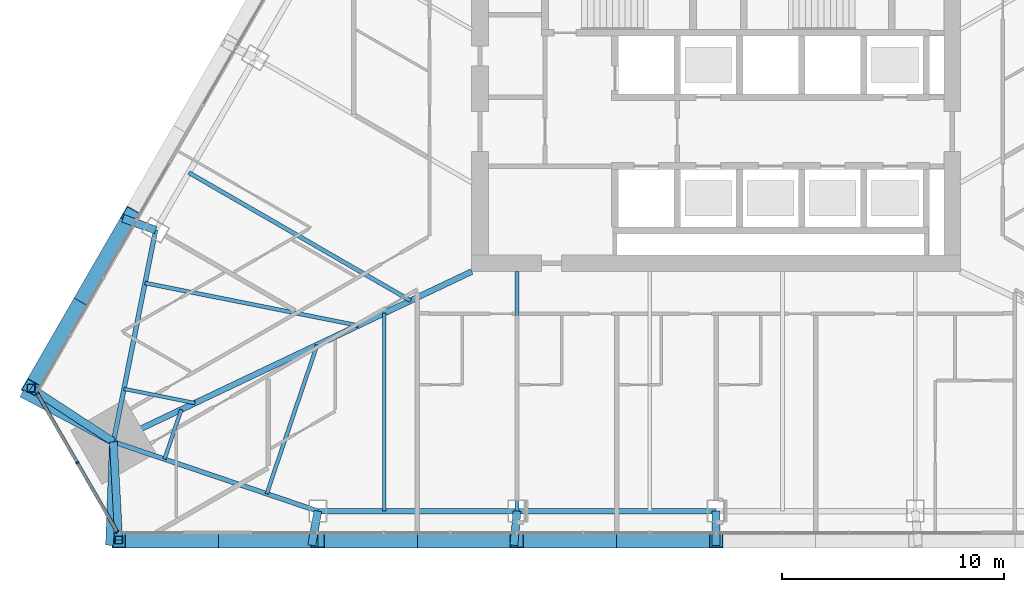
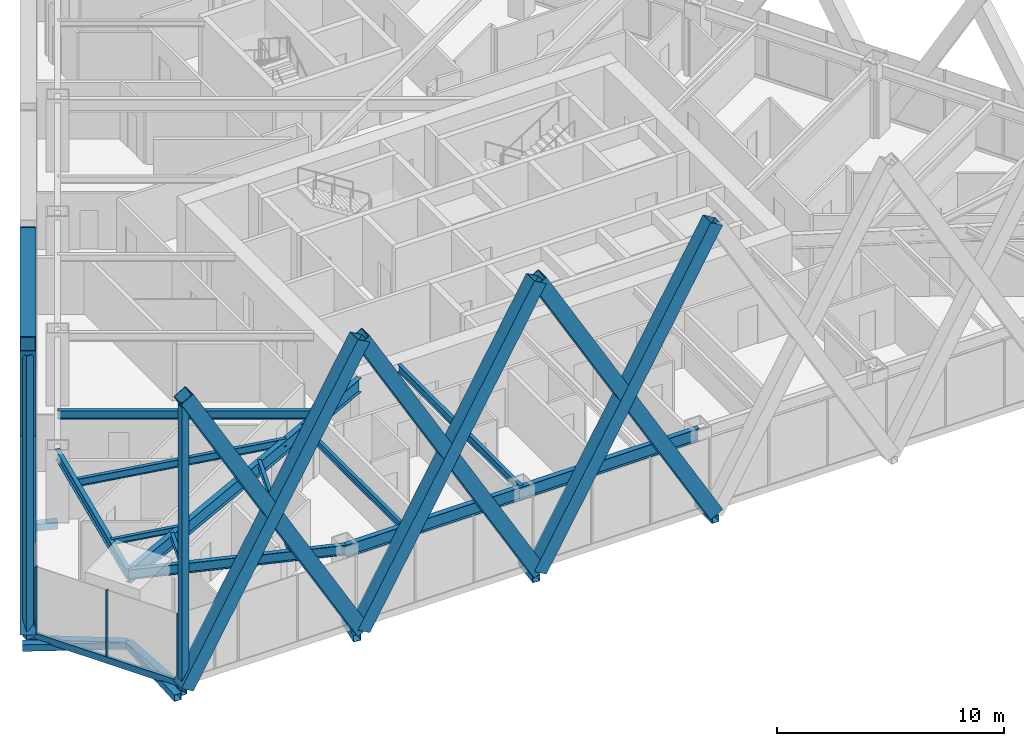
# One storey, part 2 of 24: 22 members, 11 beams, 1 element without a shape of its own.
"""IFC4 building model written with IfcOpenShell, lengths in metres."""

import ifcopenshell
import ifcopenshell.guid

model = None  # the IFC model being written
_history = None  # IfcOwnerHistory: only IFC2X3 demands one
_inside = {}  # id of a spatial element -> (the spatial element, [elements in it])
_under = {}  # id of a project, library or spatial element -> (it, [spatial elements below it])
_declared = {}  # id of a project -> (the project, [libraries it declares])
_typed = {}  # id of a type object -> (the type object, [elements of that type])
_made_of = {}  # id of a material, layer set ... -> (it, [elements and type objects made of it])


def new_model(schema):
    """Start an empty IFC model of exactly this schema.

    Asked for "IFC4X3", IfcOpenShell would pick the latest addendum, in which some entities
    have other attributes; the version numbers below select the first issue.
    IFC2X3 requires an IfcOwnerHistory on every rooted entity: one is made here for all.
    """
    global model, _history
    if schema == "IFC4X3":
        model = ifcopenshell.file(schema_version=(4, 3, 0, 0))
    else:
        model = ifcopenshell.file(schema=schema)
    _inside.clear()
    _under.clear()
    _declared.clear()
    _typed.clear()
    _made_of.clear()
    _history = None
    if model.schema == "IFC2X3":
        org = make("IfcOrganization", Name="unknown")
        user = make(
            "IfcPersonAndOrganization",
            ThePerson=make("IfcPerson", FamilyName="unknown"),
            TheOrganization=org,
        )
        app = make(
            "IfcApplication",
            ApplicationDeveloper=org,
            Version="unknown",
            ApplicationFullName="unknown",
            ApplicationIdentifier="unknown",
        )
        _history = make(
            "IfcOwnerHistory",
            OwningUser=user,
            OwningApplication=app,
            ChangeAction="ADDED",
            CreationDate=0,
        )
    return model


def make(cls, **values):
    """One entity of the class cls with the attributes given. An attribute that is None is left unset."""
    return model.create_entity(
        cls, **{name: value for name, value in values.items() if value is not None}
    )


def rooted(cls, **values):
    """An entity with a GlobalId (a new one), such as an element, a storey or a relation."""
    return make(cls, GlobalId=ifcopenshell.guid.new(), OwnerHistory=_history, **values)


def si_unit(unit_type, name, prefix=None):
    """IfcSIUnit, for example si_unit("LENGTHUNIT", "METRE", prefix="MILLI")."""
    return make("IfcSIUnit", UnitType=unit_type, Prefix=prefix, Name=name)


def assignment(units):
    """IfcUnitAssignment: the units of a project."""
    return None if units is None else make("IfcUnitAssignment", Units=units)


def point(xyz):
    """IfcCartesianPoint."""
    return None if xyz is None else make("IfcCartesianPoint", Coordinates=xyz)


def direction(xyz):
    """IfcDirection."""
    return None if xyz is None else make("IfcDirection", DirectionRatios=xyz)


def frame(location, z_axis=None, x_axis=None):
    """IfcAxis2Placement3D, a coordinate frame: its origin and axes. An axis left out is left unset."""
    return make(
        "IfcAxis2Placement3D",
        Location=point(location),
        Axis=direction(z_axis),
        RefDirection=direction(x_axis),
    )


def frame_2d(location, x_axis=None):
    """IfcAxis2Placement2D, a coordinate frame in the plane: its origin and x axis."""
    return make(
        "IfcAxis2Placement2D", Location=point(location), RefDirection=direction(x_axis)
    )


def origin():
    """The frame at (0, 0, 0) with its axes left unset."""
    return frame((0.0, 0.0, 0.0))


def origin_2d():
    """The frame at (0, 0) in the plane with its x axis left unset."""
    return frame_2d((0.0, 0.0))


def place(relative_to, where):
    """IfcLocalPlacement: puts the frame where relative to a parent placement (None: the world)."""
    return make(
        "IfcLocalPlacement", PlacementRelTo=relative_to, RelativePlacement=where
    )


def context(
    kind, dimensions, precision=None, world=None, true_north=None, identifier=None
):
    """IfcGeometricRepresentationContext, for example the 3D "Model" context."""
    return make(
        "IfcGeometricRepresentationContext",
        ContextIdentifier=identifier,
        ContextType=kind,
        CoordinateSpaceDimension=dimensions,
        Precision=precision,
        WorldCoordinateSystem=world,
        TrueNorth=true_north,
    )


def subcontext(parent, identifier, kind, view, scale=None):
    """IfcGeometricRepresentationSubContext, for example "Body" below "Model"."""
    return make(
        "IfcGeometricRepresentationSubContext",
        ContextIdentifier=identifier,
        ContextType=kind,
        ParentContext=parent,
        TargetScale=scale,
        TargetView=view,
    )


def project(units=None, contexts=None):
    """IfcProject with its units and contexts."""
    return rooted(
        "IfcProject",
        Name="project",
        RepresentationContexts=contexts,
        UnitsInContext=assignment(units),
    )


def spatial(cls, under=None, at=None, **own):
    """A site, building, storey or space (cls), placed at a placement, below another one or the project."""
    s = rooted(cls, ObjectPlacement=at, **own)
    if under is not None:
        _under.setdefault(under.id(), (under, []))[1].append(s)
    return s


def profile(cls, at=None, kind="AREA", **sizes):
    """A parametric profile (cls). Its sizes go by their IFC names, for example OverallWidth=200.0."""
    return make(cls, ProfileType=kind, Position=at, **sizes)


def rectangle(**sizes):
    """IfcRectangleProfileDef."""
    return profile("IfcRectangleProfileDef", **sizes)


def hollow_rectangle(**sizes):
    """IfcRectangleHollowProfileDef."""
    return profile("IfcRectangleHollowProfileDef", **sizes)


def i_section(**sizes):
    """IfcIShapeProfileDef."""
    return profile("IfcIShapeProfileDef", **sizes)


def extrude(swept, where, along, depth):
    """IfcExtrudedAreaSolid: the profile swept, set in the frame where, extruded along a direction by depth."""
    return make(
        "IfcExtrudedAreaSolid",
        SweptArea=swept,
        Position=where,
        ExtrudedDirection=direction(along),
        Depth=depth,
    )


def shape(context_of_items, identifier, shape_type, items):
    """IfcShapeRepresentation: the items that make up one representation, for example the "Body"."""
    return make(
        "IfcShapeRepresentation",
        ContextOfItems=context_of_items,
        RepresentationIdentifier=identifier,
        RepresentationType=shape_type,
        Items=items,
    )


def material(Name=None, Category=None):
    """IfcMaterial."""
    return make("IfcMaterial", Name=Name, Category=Category)


def layer(
    of_material, thickness, ventilated=None, Name=None, Category=None, Priority=None
):
    """IfcMaterialLayer: one layer of a wall or slab, of a material (None: an air gap)."""
    return make(
        "IfcMaterialLayer",
        Material=of_material,
        LayerThickness=thickness,
        IsVentilated=ventilated,
        Name=Name,
        Category=Category,
        Priority=Priority,
    )


def layer_set(layers, Name=None):
    """IfcMaterialLayerSet."""
    return make("IfcMaterialLayerSet", MaterialLayers=layers, LayerSetName=Name)


def material_profile(
    of_material, cross_section, Name=None, Category=None, Priority=None
):
    """IfcMaterialProfile: a cross section and its material."""
    return make(
        "IfcMaterialProfile",
        Name=Name,
        Material=of_material,
        Profile=cross_section,
        Priority=Priority,
        Category=Category,
    )


def profile_set(profiles, Name=None, composite=None):
    """IfcMaterialProfileSet."""
    return make(
        "IfcMaterialProfileSet",
        Name=Name,
        MaterialProfiles=profiles,
        CompositeProfile=composite,
    )


def made_of(thing, what):
    """Note that an element or type object is made of a material, layer set ...; save() writes the relation."""
    if what is not None:
        _made_of.setdefault(what.id(), (what, []))[1].append(thing)
    return thing


def type_object(cls, material=None, **own):
    """A type object (cls), such as IfcWallType, which elements share."""
    return made_of(rooted(cls, **own), material)


def element(
    cls,
    number,
    at=None,
    inside=None,
    cuts=None,
    type_object=None,
    material=None,
    context=None,
    identifier="Body",
    shape_type=None,
    held_by="IfcProductDefinitionShape",
    body=None,
    shapes=None,
    **own,
):
    """One element of the class cls, such as IfcWall. Its Tag is "e" and its number.

    at: its placement. inside: the storey or other place that contains it. cuts: it is an
    opening in that element (IfcRelVoidsElement). A single representation is given by context,
    identifier, shape_type and body (its items); several are given by shapes. held_by: the class
    of the entity that holds the representations. save() writes the other relations.
    """
    e = rooted(cls, Tag="e%d" % number, ObjectPlacement=at, **own)
    if body is not None:
        shapes = [shape(context, identifier, shape_type, body)]
    if shapes is not None:
        e.Representation = make(held_by, Representations=shapes)
    if inside is not None:
        _inside.setdefault(inside.id(), (inside, []))[1].append(e)
    if cuts is not None:
        rooted(
            "IfcRelVoidsElement", RelatingBuildingElement=cuts, RelatedOpeningElement=e
        )
    if type_object is not None:
        _typed.setdefault(type_object.id(), (type_object, []))[1].append(e)
    return made_of(e, material)


def aggregate(whole, parts):
    """IfcRelAggregates: a whole, such as a stair, and the parts it consists of."""
    return rooted("IfcRelAggregates", RelatingObject=whole, RelatedObjects=parts)


def save(model, path):
    """Write the relations noted so far, then the file.

    IfcRelAggregates (storeys below a building ...), IfcRelContainedInSpatialStructure (elements
    in a storey), IfcRelDefinesByType, IfcRelAssociatesMaterial and IfcRelDeclares: one each for
    every whole, place, type object, material and project.
    """
    for whole, parts in _under.values():
        aggregate(whole, parts)
    for where, things in _inside.values():
        rooted(
            "IfcRelContainedInSpatialStructure",
            RelatedElements=things,
            RelatingStructure=where,
        )
    for kind, things in _typed.values():
        rooted("IfcRelDefinesByType", RelatedObjects=things, RelatingType=kind)
    for what, things in _made_of.values():
        rooted("IfcRelAssociatesMaterial", RelatedObjects=things, RelatingMaterial=what)
    for by, libraries in _declared.values():
        rooted("IfcRelDeclares", RelatingContext=by, RelatedDefinitions=libraries)
    model.write(path)


model = new_model("IFC4")

# Units and contexts
model_context = context("Model", 3, precision=1e-05, world=origin(), true_north=direction((0.0, 1.0)))
body_context = subcontext(model_context, "Body", "Model", "MODEL_VIEW")
ifc_project = project(units=[si_unit("LENGTHUNIT", "METRE"), si_unit("AREAUNIT", "SQUARE_METRE"), si_unit("VOLUMEUNIT", "CUBIC_METRE"), si_unit("PLANEANGLEUNIT", "RADIAN"), si_unit("MASSUNIT", "GRAM", prefix="KILO")], contexts=[model_context])

# Site, building, storey
site_placement = place(None, origin())
site = spatial("IfcSite", under=ifc_project, at=site_placement, CompositionType="ELEMENT")
building_placement = place(site_placement, origin())
building = spatial("IfcBuilding", under=site, at=building_placement, Name="Firuza Gate Tower and Library", CompositionType="ELEMENT")
storey_placement = place(building_placement, frame((0.0, 0.0, 171.39990234375)))
storey = spatial("IfcBuildingStorey", under=building, at=storey_placement, Name="L39", CompositionType="ELEMENT", Elevation=171.39990234375)

# Members
ifc_material_1 = material(Name="Steel S355", Category="steel")
ifc_material_profile_1 = material_profile(ifc_material_1, hollow_rectangle(XDim=0.699951171875, YDim=0.699951171875, WallThickness=0.030029296875, at=origin_2d()))
ifc_profile_set_1 = profile_set([ifc_material_profile_1], Name="Steel S355")
member_type_1 = type_object("IfcMemberType", Name="BU700x700x30 Lattice brace", PredefinedType="BRACE", material=ifc_profile_set_1)
for number, where, z_axis, x_axis, name in (
    (1, (48.1142578125, 54.920654296875, 0.0), (0.49813097309, 0.0, 0.867101801202), (0.0, 1.0, 0.0), "Lattice brace S 9.1R"),
    (2, (57.076171875, 54.920654296875, 0.0), (-0.49813097309, 0.0, 0.867101801202), (0.0, -1.0, 0.0), "Lattice brace S 9.1L"),
    (3, (57.076171875, 54.920654296875, 0.0), (0.49813097309, 0.0, 0.867101801202), (0.0, 1.0, 0.0), "Lattice brace S 9.2R"),
    (4, (66.0380859375, 54.920654296875, 0.0), (-0.49813097309, 0.0, 0.867101801202), (0.0, -1.0, 0.0), "Lattice brace S 9.2L"),
    (5, (66.0380859375, 54.920654296875, 0.0), (0.49813097309, 0.0, 0.867101801202), (0.0, 1.0, 0.0), "Lattice brace S 9.3R"),
    (6, (75.0, 54.920654296875, 0.0), (-0.49813097309, 0.0, 0.867101801202), (0.0, -1.0, 0.0), "Lattice brace S 9.3L"),
    (7, (48.648681640625, 69.51708984375, 0.0), (-0.249065574789, -0.43139340866, 0.867102108416), (0.866024991597, -0.500000713928, 0.0), "Lattice brace W 9.6R"),
    (8, (44.167724609375, 61.755859375, 0.0), (0.249065574789, 0.43139340866, 0.867102108416), (-0.866024991597, 0.500000713928, 0.0), "Lattice brace W 9.6L"),
):
    element("IfcMember", number, at=place(storey_placement, frame(where, z_axis=z_axis, x_axis=x_axis)), inside=storey, type_object=member_type_1, Name=name, PredefinedType="BRACE", context=body_context, shape_type="SweptSolid", body=[
        extrude(hollow_rectangle(XDim=0.699951171875, YDim=0.699951171875, WallThickness=0.030029296875, at=origin_2d()), origin(), (0.0, 0.0, 1.0), 17.990966796875),
    ])

# Curtain wall, members
ifc_material_2 = material(Name="Aluminium 6063-T6", Category="aluminium")
ifc_layer = layer(ifc_material_2, 0.14990234375)
ifc_layer_set = layer_set([ifc_layer], Name="Corner curtain wall, chamfers")
curtain_wall_type = type_object("IfcCurtainWallType", Name="Corner curtain wall, chamfers", PredefinedType="NOTDEFINED", material=ifc_layer_set)
curtain_wall_placement = place(storey_placement, origin())
curtain_wall = element("IfcCurtainWall", 9, at=curtain_wall_placement, inside=storey, type_object=curtain_wall_type, Name="CW4 L39 SW corner", PredefinedType="NOTDEFINED")
ifc_material_3 = material(Name="Aluminium 6063-T6", Category="aluminium")
ifc_material_profile_2 = material_profile(ifc_material_3, rectangle(XDim=0.14990234375, YDim=0.080078125, at=origin_2d()))
ifc_profile_set_2 = profile_set([ifc_material_profile_2], Name="Aluminium 6063-T6")
member_type_2 = type_object("IfcMemberType", Name="Curtain wall mullion 80x150", PredefinedType="MULLION", material=ifc_profile_set_2)
member_1_placement = place(storey_placement, frame((44.447509765625, 61.521240234375, 0.150146484375), z_axis=(0.0, 0.0, 1.0), x_axis=(0.866025403784, 0.5, 0.0)))
member_1 = element("IfcMember", 10, at=member_1_placement, type_object=member_type_2, Name="Mullion", PredefinedType="MULLION", context=body_context, shape_type="SweptSolid", body=[
    extrude(rectangle(XDim=0.14990234375, YDim=0.080078125, at=origin_2d()), origin(), (0.0, 0.0, 1.0), 3.550048828125),
])
member_2_placement = place(storey_placement, frame((46.249267578125, 58.400634765625, 0.150146484375), z_axis=(0.0, 0.0, 1.0), x_axis=(0.866025403784, 0.5, 0.0)))
member_2 = element("IfcMember", 11, at=member_2_placement, type_object=member_type_2, Name="Mullion", PredefinedType="MULLION", context=body_context, shape_type="SweptSolid", body=[
    extrude(rectangle(XDim=0.14990234375, YDim=0.080078125, at=origin_2d()), origin(), (0.0, 0.0, 1.0), 3.550048828125),
])
member_3_placement = place(storey_placement, frame((48.051025390625, 55.2802734375, 0.150146484375), z_axis=(0.0, 0.0, 1.0), x_axis=(0.866025403784, 0.5, 0.0)))
member_3 = element("IfcMember", 12, at=member_3_placement, type_object=member_type_2, Name="Mullion", PredefinedType="MULLION", context=body_context, shape_type="SweptSolid", body=[
    extrude(rectangle(XDim=0.14990234375, YDim=0.080078125, at=origin_2d()), origin(), (0.0, 0.0, 1.0), 3.550048828125),
])
ifc_material_4 = material(Name="Aluminium 6063-T6", Category="aluminium")
ifc_material_profile_3 = material_profile(ifc_material_4, rectangle(XDim=0.14990234375, YDim=0.35009765625, at=origin_2d()))
ifc_profile_set_3 = profile_set([ifc_material_profile_3], Name="Aluminium 6063-T6")
member_type_3 = type_object("IfcMemberType", Name="Curtain wall transom 350x150", PredefinedType="USERDEFINED", material=ifc_profile_set_3)
member_4_placement = place(storey_placement, frame((44.427734375, 61.555908203125, -0.02490234375), z_axis=(0.499980589496, -0.866036610154, 0.0), x_axis=(0.866036610154, 0.499980589496, 0.0)))
member_4 = element("IfcMember", 13, at=member_4_placement, type_object=member_type_3, Name="Transom", ObjectType="TRANSOM", PredefinedType="USERDEFINED", context=body_context, shape_type="SweptSolid", body=[
    extrude(rectangle(XDim=0.14990234375, YDim=0.35009765625, at=origin_2d()), origin(), (0.0, 0.0, 1.0), 7.286376953125),
])
aggregate(curtain_wall, [member_1, member_2, member_3, member_4])

# Members
ifc_material_5 = material(Name="Steel S355", Category="steel")
ifc_material_profile_4 = material_profile(ifc_material_5, hollow_rectangle(XDim=0.355712890625, YDim=0.355712890625, WallThickness=0.014892578125, at=origin_2d()))
ifc_profile_set_4 = profile_set([ifc_material_profile_4], Name="Steel S355")
member_type_4 = type_object("IfcMemberType", Name="HSS356x356x16 Lattice corner stile", PredefinedType="BRACE", material=ifc_profile_set_4)
for number, where, z_axis, x_axis, name in (
    (14, (48.1142578125, 54.920654296875, -0.139892578125), (0.0, 0.0, 1.0), (1.0, 0.0, 0.0), "Lattice corner stile S 9.A"),
    (15, (44.167724609375, 61.755859375, -0.139892578125), (0.0, 0.0, 1.0), (1.0, 0.0, 0.0), "Lattice corner stile W 9.B"),
):
    element("IfcMember", number, at=place(storey_placement, frame(where, z_axis=z_axis, x_axis=x_axis)), inside=storey, type_object=member_type_4, Name=name, PredefinedType="BRACE", context=body_context, shape_type="SweptSolid", body=[
        extrude(hollow_rectangle(XDim=0.355712890625, YDim=0.355712890625, WallThickness=0.014892578125, at=origin_2d()), origin(), (0.0, 0.0, 1.0), 15.239990234375),
    ])
ifc_material_6 = material(Name="Steel S355", Category="steel")
ifc_material_profile_5 = material_profile(ifc_material_6, hollow_rectangle(XDim=0.355712890625, YDim=0.355712890625, WallThickness=0.014892578125, at=origin_2d()))
ifc_profile_set_5 = profile_set([ifc_material_profile_5], Name="Steel S355")
member_type_5 = type_object("IfcMemberType", Name="HSS356x356x16 Lattice node tie", PredefinedType="BRACE", material=ifc_profile_set_5)
member_5_placement = place(storey_placement, frame((47.873046875, 59.338134765625, -0.31982421875), z_axis=(-0.037145365408, -0.999309872777, 0.0), x_axis=(0.999309872777, -0.037145365408, 0.0)))
element("IfcMember", 16, at=member_5_placement, inside=storey, type_object=member_type_5, Name="Lattice node tie S L39 184", PredefinedType="BRACE", context=body_context, shape_type="SweptSolid", body=[
    extrude(hollow_rectangle(XDim=0.355712890625, YDim=0.355712890625, WallThickness=0.014892578125, at=origin_2d()), origin(), (0.0, 0.0, 1.0), 4.659912109375),
])
member_6_placement = place(storey_placement, frame((47.873046875, 59.338134765625, -0.31982421875), z_axis=(0.054522515248, -0.998512541399, 0.0), x_axis=(0.998512541399, 0.054522515248, 0.0)))
element("IfcMember", 17, at=member_6_placement, inside=storey, type_object=member_type_5, Name="Lattice node tie S L39 185", PredefinedType="BRACE", context=body_context, shape_type="SweptSolid", body=[
    extrude(hollow_rectangle(XDim=0.355712890625, YDim=0.355712890625, WallThickness=0.014892578125, at=origin_2d()), origin(), (0.0, 0.0, 1.0), 4.424072265625),
])
member_7_placement = place(storey_placement, frame((57.076171875, 56.220458984375, -0.31982421875), z_axis=(-0.176590369853, -0.984284431084, 0.0), x_axis=(0.984284431084, -0.176590369853, 0.0)))
element("IfcMember", 18, at=member_7_placement, inside=storey, type_object=member_type_5, Name="Lattice node tie S L39 186", PredefinedType="BRACE", context=body_context, shape_type="SweptSolid", body=[
    extrude(hollow_rectangle(XDim=0.355712890625, YDim=0.355712890625, WallThickness=0.014892578125, at=origin_2d()), origin(), (0.0, 0.0, 1.0), 1.563720703125),
])
member_8_placement = place(storey_placement, frame((66.0380859375, 56.220458984375, -0.31982421875), z_axis=(-0.089424552204, -0.995993599107, 0.0), x_axis=(0.995993599107, -0.089424552204, 0.0)))
element("IfcMember", 19, at=member_8_placement, inside=storey, type_object=member_type_5, Name="Lattice node tie S L39 187", PredefinedType="BRACE", context=body_context, shape_type="SweptSolid", body=[
    extrude(hollow_rectangle(XDim=0.355712890625, YDim=0.355712890625, WallThickness=0.014892578125, at=origin_2d()), origin(), (0.0, 0.0, 1.0), 1.545166015625),
])
member_9_placement = place(storey_placement, frame((75.0, 56.220458984375, -0.31982421875), z_axis=(0.0, -1.0, 0.0), x_axis=(1.0, 0.0, 0.0)))
element("IfcMember", 20, at=member_9_placement, inside=storey, type_object=member_type_5, Name="Lattice node tie S L39 188", PredefinedType="BRACE", context=body_context, shape_type="SweptSolid", body=[
    extrude(hollow_rectangle(XDim=0.355712890625, YDim=0.355712890625, WallThickness=0.014892578125, at=origin_2d()), origin(), (0.0, 0.0, 1.0), 1.5390625),
])
member_10_placement = place(storey_placement, frame((47.873046875, 59.338134765625, -0.31982421875), z_axis=(-0.883977722192, 0.467529022275, 0.0), x_axis=(-0.467529022275, -0.883977722192, 0.0)))
element("IfcMember", 21, at=member_10_placement, inside=storey, type_object=member_type_5, Name="Lattice node tie W L39 193", PredefinedType="BRACE", context=body_context, shape_type="SweptSolid", body=[
    extrude(hollow_rectangle(XDim=0.355712890625, YDim=0.355712890625, WallThickness=0.014892578125, at=origin_2d()), origin(), (0.0, 0.0, 1.0), 4.66015625),
])
member_11_placement = place(storey_placement, frame((47.873046875, 59.338134765625, -0.31982421875), z_axis=(-0.837485429113, 0.546459656355, 0.0), x_axis=(-0.546459656355, -0.837485429113, 0.0)))
element("IfcMember", 22, at=member_11_placement, inside=storey, type_object=member_type_5, Name="Lattice node tie W L39 194", PredefinedType="BRACE", context=body_context, shape_type="SweptSolid", body=[
    extrude(hollow_rectangle(XDim=0.355712890625, YDim=0.355712890625, WallThickness=0.014892578125, at=origin_2d()), origin(), (0.0, 0.0, 1.0), 4.42431640625),
])
member_12_placement = place(storey_placement, frame((49.774658203125, 68.8671875, -0.31982421875), z_axis=(-0.940688215805, 0.339272280987, 0.0), x_axis=(-0.339272280987, -0.940688215805, 0.0)))
element("IfcMember", 23, at=member_12_placement, inside=storey, type_object=member_type_5, Name="Lattice node tie W L39 195", PredefinedType="BRACE", context=body_context, shape_type="SweptSolid", body=[
    extrude(hollow_rectangle(XDim=0.355712890625, YDim=0.355712890625, WallThickness=0.014892578125, at=origin_2d()), origin(), (0.0, 0.0, 1.0), 1.563720703125),
])

# Beams
ifc_material_7 = material(Name="Steel S355", Category="steel")
ifc_material_profile_6 = material_profile(ifc_material_7, i_section(OverallWidth=0.1650390625, OverallDepth=0.31005859375, WebThickness=0.005859375, FlangeThickness=0.009765625, at=origin_2d()))
ifc_profile_set_6 = profile_set([ifc_material_profile_6], Name="Steel S355")
beam_type_1 = type_object("IfcBeamType", Name="W310x39 Floor beam", PredefinedType="JOIST", material=ifc_profile_set_6)
beam_1_placement = place(storey_placement, frame((48.348388671875, 61.720458984375, 3.545166015625), z_axis=(0.980672759664, -0.195655151867, 0.0), x_axis=(0.195655151867, 0.980672759664, 0.0)))
element("IfcBeam", 24, at=beam_1_placement, inside=storey, type_object=beam_type_1, Name="Floor beam L39 s01", PredefinedType="JOIST", context=body_context, shape_type="SweptSolid", body=[
    extrude(i_section(OverallWidth=0.1650390625, OverallDepth=0.31005859375, WebThickness=0.005859375, FlangeThickness=0.009765625, at=origin_2d()), origin(), (0.0, 0.0, 1.0), 3.25927734375),
])
beam_2_placement = place(storey_placement, frame((50.173828125, 58.558837890625, 3.545166015625), z_axis=(0.320886488599, 0.947117659763, 0.0), x_axis=(-0.947117659763, 0.320886488599, 0.0)))
element("IfcBeam", 25, at=beam_2_placement, inside=storey, type_object=beam_type_1, Name="Floor beam L39 s10", PredefinedType="JOIST", context=body_context, shape_type="SweptSolid", body=[
    extrude(i_section(OverallWidth=0.1650390625, OverallDepth=0.31005859375, WebThickness=0.005859375, FlangeThickness=0.009765625, at=origin_2d()), origin(), (0.0, 0.0, 1.0), 2.356201171875),
])
ifc_material_8 = material(Name="Steel S355", Category="steel")
ifc_material_profile_7 = material_profile(ifc_material_8, i_section(OverallWidth=0.1708984375, OverallDepth=0.35498046875, WebThickness=0.007080078125, FlangeThickness=0.01171875, at=origin_2d()))
ifc_profile_set_7 = profile_set([ifc_material_profile_7], Name="Steel S355")
beam_type_2 = type_object("IfcBeamType", Name="W360x51 Floor beam", PredefinedType="JOIST", material=ifc_profile_set_7)
beam_3_placement = place(storey_placement, frame((54.775390625, 57.0, 3.522705078125), z_axis=(0.320855506984, 0.947128155868, 0.0), x_axis=(-0.947128155868, 0.320855506984, 0.0)))
element("IfcBeam", 26, at=beam_3_placement, inside=storey, type_object=beam_type_2, Name="Floor beam L39 s11", PredefinedType="JOIST", context=body_context, shape_type="SweptSolid", body=[
    extrude(i_section(OverallWidth=0.1708984375, OverallDepth=0.35498046875, WebThickness=0.007080078125, FlangeThickness=0.01171875, at=origin_2d()), origin(), (0.0, 0.0, 1.0), 7.06884765625),
])
beam_4_placement = place(storey_placement, frame((60.0634765625, 56.220458984375, 3.522705078125), z_axis=(0.0, 1.0, 0.0), x_axis=(-1.0, 0.0, 0.0)))
element("IfcBeam", 27, at=beam_4_placement, inside=storey, type_object=beam_type_2, Name="Floor beam L39 s20", PredefinedType="JOIST", context=body_context, shape_type="SweptSolid", body=[
    extrude(i_section(OverallWidth=0.1708984375, OverallDepth=0.35498046875, WebThickness=0.007080078125, FlangeThickness=0.01171875, at=origin_2d()), origin(), (0.0, 0.0, 1.0), 8.909423828125),
])
ifc_material_9 = material(Name="Steel S355", Category="steel")
ifc_material_profile_8 = material_profile(ifc_material_9, i_section(OverallWidth=0.177978515625, OverallDepth=0.406982421875, WebThickness=0.0078125, FlangeThickness=0.0126953125, at=origin_2d()))
ifc_profile_set_8 = profile_set([ifc_material_profile_8], Name="Steel S355")
beam_type_3 = type_object("IfcBeamType", Name="W410x60 Floor beam", PredefinedType="JOIST", material=ifc_profile_set_8)
beam_5_placement = place(storey_placement, frame((49.29931640625, 66.48486328125, 3.49658203125), z_axis=(0.980667968547, -0.195679164617, 0.0), x_axis=(0.195679164617, 0.980667968547, 0.0)))
element("IfcBeam", 28, at=beam_5_placement, inside=storey, type_object=beam_type_3, Name="Floor beam L39 s00", PredefinedType="JOIST", context=body_context, shape_type="SweptSolid", body=[
    extrude(i_section(OverallWidth=0.177978515625, OverallDepth=0.406982421875, WebThickness=0.0078125, FlangeThickness=0.0126953125, at=origin_2d()), origin(), (0.0, 0.0, 1.0), 9.77783203125),
])
beam_6_placement = place(storey_placement, frame((66.0380859375, 56.220458984375, 3.49658203125), z_axis=(0.0, 1.0, 0.0), x_axis=(-1.0, 0.0, 0.0)))
element("IfcBeam", 29, at=beam_6_placement, inside=storey, type_object=beam_type_3, Name="Floor beam L39 s21", PredefinedType="JOIST", context=body_context, shape_type="SweptSolid", body=[
    extrude(i_section(OverallWidth=0.177978515625, OverallDepth=0.406982421875, WebThickness=0.0078125, FlangeThickness=0.0126953125, at=origin_2d()), origin(), (0.0, 0.0, 1.0), 10.779541015625),
])
ifc_material_10 = material(Name="Steel S355", Category="steel")
ifc_material_profile_9 = material_profile(ifc_material_10, i_section(OverallWidth=0.18994140625, OverallDepth=0.45703125, WebThickness=0.009033203125, FlangeThickness=0.014404296875, at=origin_2d()))
ifc_profile_set_9 = profile_set([ifc_material_profile_9], Name="Steel S355")
beam_type_4 = type_object("IfcBeamType", Name="W460x74 Floor beam", PredefinedType="JOIST", material=ifc_profile_set_9)
beam_7_placement = place(storey_placement, frame((51.268310546875, 71.454345703125, 3.4716796875), z_axis=(0.866028586684, -0.499994487016, 0.0), x_axis=(0.499994487016, 0.866028586684, 0.0)))
element("IfcBeam", 30, at=beam_7_placement, inside=storey, type_object=beam_type_4, Name="Floor beam L39 s85", PredefinedType="JOIST", context=body_context, shape_type="SweptSolid", body=[
    extrude(i_section(OverallWidth=0.18994140625, OverallDepth=0.45703125, WebThickness=0.009033203125, FlangeThickness=0.014404296875, at=origin_2d()), origin(), (0.0, 0.0, 1.0), 11.523681640625),
])
ifc_material_11 = material(Name="Steel S355", Category="steel")
ifc_material_profile_10 = material_profile(ifc_material_11, i_section(OverallWidth=0.212890625, OverallDepth=0.5390625, WebThickness=0.01171875, FlangeThickness=0.018798828125, at=origin_2d()))
ifc_profile_set_10 = profile_set([ifc_material_profile_10], Name="Steel S355")
beam_type_5 = type_object("IfcBeamType", Name="W530x109 Edge beam", PredefinedType="SPANDREL", material=ifc_profile_set_10)
beam_8_placement = place(storey_placement, frame((49.774658203125, 68.8671875, 3.4306640625), z_axis=(-0.195700584523, -0.980663694249, 0.0), x_axis=(0.980663694249, -0.195700584523, 0.0)))
element("IfcBeam", 31, at=beam_8_placement, inside=storey, type_object=beam_type_5, Name="Edge beam L39 e00", PredefinedType="SPANDREL", context=body_context, shape_type="SweptSolid", body=[
    extrude(i_section(OverallWidth=0.212890625, OverallDepth=0.5390625, WebThickness=0.01171875, FlangeThickness=0.018798828125, at=origin_2d()), origin(), (0.0, 0.0, 1.0), 9.717041015625),
])
beam_9_placement = place(storey_placement, frame((47.873046875, 59.338134765625, 3.4306640625), z_axis=(0.947129305781, -0.320852112554, 0.0), x_axis=(0.320852112554, 0.947129305781, 0.0)))
element("IfcBeam", 32, at=beam_9_placement, inside=storey, type_object=beam_type_5, Name="Edge beam L39 e10", PredefinedType="SPANDREL", context=body_context, shape_type="SweptSolid", body=[
    extrude(i_section(OverallWidth=0.212890625, OverallDepth=0.5390625, WebThickness=0.01171875, FlangeThickness=0.018798828125, at=origin_2d()), origin(), (0.0, 0.0, 1.0), 9.716796875),
])
ifc_material_12 = material(Name="Steel S355", Category="steel")
ifc_material_profile_11 = material_profile(ifc_material_12, i_section(OverallWidth=0.2529296875, OverallDepth=0.677978515625, WebThickness=0.01171875, FlangeThickness=0.016357421875, at=origin_2d()))
ifc_profile_set_11 = profile_set([ifc_material_profile_11], Name="Steel S355")
beam_type_6 = type_object("IfcBeamType", Name="W690x125 Edge beam", PredefinedType="SPANDREL", material=ifc_profile_set_11)
beam_10_placement = place(storey_placement, frame((57.076171875, 56.220458984375, 3.361083984375), z_axis=(1.0, 0.0, 0.0), x_axis=(0.0, 1.0, 0.0)))
element("IfcBeam", 33, at=beam_10_placement, inside=storey, type_object=beam_type_6, Name="Edge beam L39 e20", PredefinedType="SPANDREL", context=body_context, shape_type="SweptSolid", body=[
    extrude(i_section(OverallWidth=0.2529296875, OverallDepth=0.677978515625, WebThickness=0.01171875, FlangeThickness=0.016357421875, at=origin_2d()), origin(), (0.0, 0.0, 1.0), 17.923828125),
])
ifc_material_13 = material(Name="Steel S355", Category="steel")
ifc_material_profile_12 = material_profile(ifc_material_13, i_section(OverallWidth=0.264892578125, OverallDepth=0.7529296875, WebThickness=0.01318359375, FlangeThickness=0.01708984375, at=origin_2d()))
ifc_profile_set_12 = profile_set([ifc_material_profile_12], Name="Steel S355")
beam_type_7 = type_object("IfcBeamType", Name="W760x147 Girder", PredefinedType="BEAM", material=ifc_profile_set_12)
beam_11_placement = place(storey_placement, frame((47.873046875, 59.338134765625, 3.323486328125), z_axis=(0.903243585223, 0.429128215984, 0.0), x_axis=(-0.429128215984, 0.903243585223, 0.0)))
element("IfcBeam", 34, at=beam_11_placement, inside=storey, type_object=beam_type_7, Name="Girder L39 gSW", PredefinedType="BEAM", context=body_context, shape_type="SweptSolid", body=[
    extrude(i_section(OverallWidth=0.264892578125, OverallDepth=0.7529296875, WebThickness=0.01318359375, FlangeThickness=0.01708984375, at=origin_2d()), origin(), (0.0, 0.0, 1.0), 17.8544921875),
])

save(model, "model.ifc")
